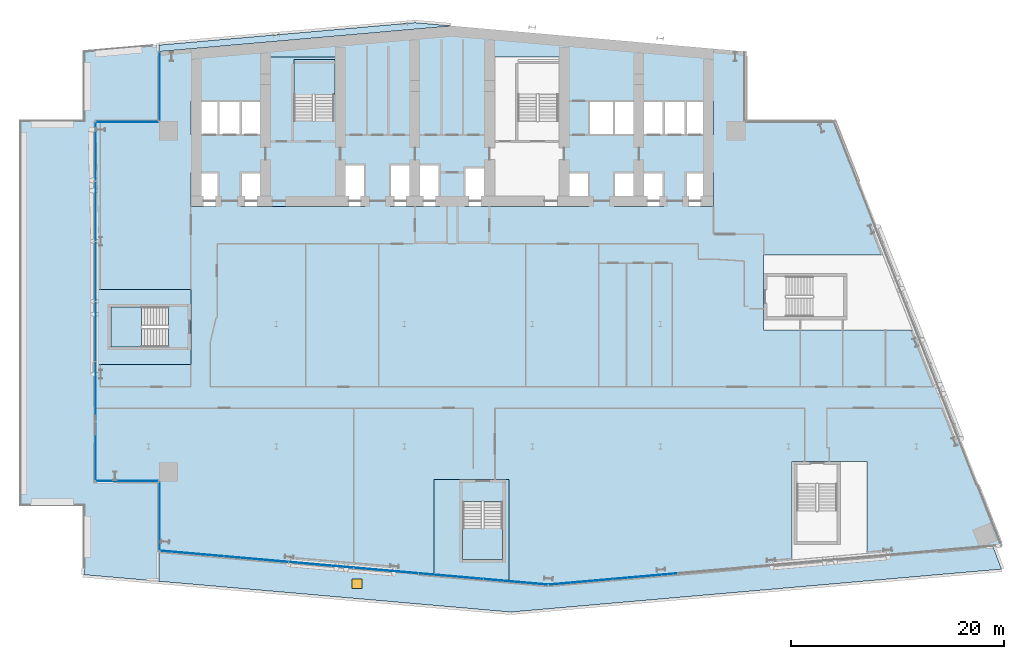
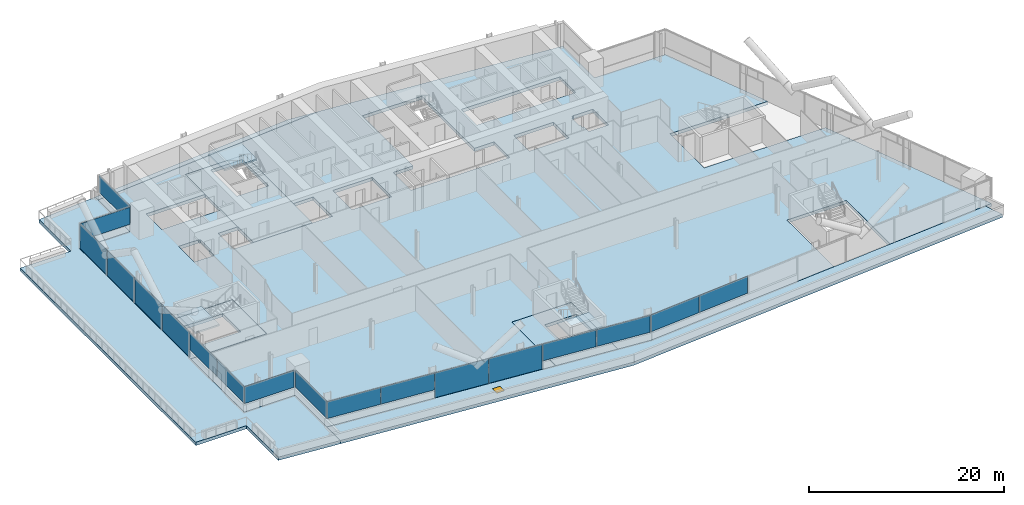
# One storey, part 9 of 26: 18 plates, 10 slabs, 1 door, 1 opening, 10 elements without a shape of their own.
"""IFC4 building model written with IfcOpenShell, lengths in metres."""

import ifcopenshell
import ifcopenshell.guid

model = None  # the IFC model being written
_history = None  # IfcOwnerHistory: only IFC2X3 demands one
_inside = {}  # id of a spatial element -> (the spatial element, [elements in it])
_under = {}  # id of a project, library or spatial element -> (it, [spatial elements below it])
_declared = {}  # id of a project -> (the project, [libraries it declares])
_typed = {}  # id of a type object -> (the type object, [elements of that type])
_made_of = {}  # id of a material, layer set ... -> (it, [elements and type objects made of it])


def new_model(schema):
    """Start an empty IFC model of exactly this schema.

    Asked for "IFC4X3", IfcOpenShell would pick the latest addendum, in which some entities
    have other attributes; the version numbers below select the first issue.
    IFC2X3 requires an IfcOwnerHistory on every rooted entity: one is made here for all.
    """
    global model, _history
    if schema == "IFC4X3":
        model = ifcopenshell.file(schema_version=(4, 3, 0, 0))
    else:
        model = ifcopenshell.file(schema=schema)
    _inside.clear()
    _under.clear()
    _declared.clear()
    _typed.clear()
    _made_of.clear()
    _history = None
    if model.schema == "IFC2X3":
        org = make("IfcOrganization", Name="unknown")
        user = make(
            "IfcPersonAndOrganization",
            ThePerson=make("IfcPerson", FamilyName="unknown"),
            TheOrganization=org,
        )
        app = make(
            "IfcApplication",
            ApplicationDeveloper=org,
            Version="unknown",
            ApplicationFullName="unknown",
            ApplicationIdentifier="unknown",
        )
        _history = make(
            "IfcOwnerHistory",
            OwningUser=user,
            OwningApplication=app,
            ChangeAction="ADDED",
            CreationDate=0,
        )
    return model


def make(cls, **values):
    """One entity of the class cls with the attributes given. An attribute that is None is left unset."""
    return model.create_entity(
        cls, **{name: value for name, value in values.items() if value is not None}
    )


def rooted(cls, **values):
    """An entity with a GlobalId (a new one), such as an element, a storey or a relation."""
    return make(cls, GlobalId=ifcopenshell.guid.new(), OwnerHistory=_history, **values)


def si_unit(unit_type, name, prefix=None):
    """IfcSIUnit, for example si_unit("LENGTHUNIT", "METRE", prefix="MILLI")."""
    return make("IfcSIUnit", UnitType=unit_type, Prefix=prefix, Name=name)


def assignment(units):
    """IfcUnitAssignment: the units of a project."""
    return None if units is None else make("IfcUnitAssignment", Units=units)


def point(xyz):
    """IfcCartesianPoint."""
    return None if xyz is None else make("IfcCartesianPoint", Coordinates=xyz)


def direction(xyz):
    """IfcDirection."""
    return None if xyz is None else make("IfcDirection", DirectionRatios=xyz)


def frame(location, z_axis=None, x_axis=None):
    """IfcAxis2Placement3D, a coordinate frame: its origin and axes. An axis left out is left unset."""
    return make(
        "IfcAxis2Placement3D",
        Location=point(location),
        Axis=direction(z_axis),
        RefDirection=direction(x_axis),
    )


def frame_2d(location, x_axis=None):
    """IfcAxis2Placement2D, a coordinate frame in the plane: its origin and x axis."""
    return make(
        "IfcAxis2Placement2D", Location=point(location), RefDirection=direction(x_axis)
    )


def origin():
    """The frame at (0, 0, 0) with its axes left unset."""
    return frame((0.0, 0.0, 0.0))


def origin_2d():
    """The frame at (0, 0) in the plane with its x axis left unset."""
    return frame_2d((0.0, 0.0))


def place(relative_to, where):
    """IfcLocalPlacement: puts the frame where relative to a parent placement (None: the world)."""
    return make(
        "IfcLocalPlacement", PlacementRelTo=relative_to, RelativePlacement=where
    )


def context(
    kind, dimensions, precision=None, world=None, true_north=None, identifier=None
):
    """IfcGeometricRepresentationContext, for example the 3D "Model" context."""
    return make(
        "IfcGeometricRepresentationContext",
        ContextIdentifier=identifier,
        ContextType=kind,
        CoordinateSpaceDimension=dimensions,
        Precision=precision,
        WorldCoordinateSystem=world,
        TrueNorth=true_north,
    )


def subcontext(parent, identifier, kind, view, scale=None):
    """IfcGeometricRepresentationSubContext, for example "Body" below "Model"."""
    return make(
        "IfcGeometricRepresentationSubContext",
        ContextIdentifier=identifier,
        ContextType=kind,
        ParentContext=parent,
        TargetScale=scale,
        TargetView=view,
    )


def project(units=None, contexts=None):
    """IfcProject with its units and contexts."""
    return rooted(
        "IfcProject",
        Name="project",
        RepresentationContexts=contexts,
        UnitsInContext=assignment(units),
    )


def spatial(cls, under=None, at=None, **own):
    """A site, building, storey or space (cls), placed at a placement, below another one or the project."""
    s = rooted(cls, ObjectPlacement=at, **own)
    if under is not None:
        _under.setdefault(under.id(), (under, []))[1].append(s)
    return s


def polyline(points):
    """IfcPolyline through the points."""
    return make("IfcPolyline", Points=[point(p) for p in points])


def profile(cls, at=None, kind="AREA", **sizes):
    """A parametric profile (cls). Its sizes go by their IFC names, for example OverallWidth=200.0."""
    return make(cls, ProfileType=kind, Position=at, **sizes)


def rectangle(**sizes):
    """IfcRectangleProfileDef."""
    return profile("IfcRectangleProfileDef", **sizes)


def outline(outer, holes=None, kind="AREA"):
    """IfcArbitraryClosedProfileDef: a profile drawn as a closed curve; with holes, ...WithVoids."""
    if holes is None:
        return make("IfcArbitraryClosedProfileDef", ProfileType=kind, OuterCurve=outer)
    return make(
        "IfcArbitraryProfileDefWithVoids",
        ProfileType=kind,
        OuterCurve=outer,
        InnerCurves=holes,
    )


def extrude(swept, where, along, depth):
    """IfcExtrudedAreaSolid: the profile swept, set in the frame where, extruded along a direction by depth."""
    return make(
        "IfcExtrudedAreaSolid",
        SweptArea=swept,
        Position=where,
        ExtrudedDirection=direction(along),
        Depth=depth,
    )


def shape(context_of_items, identifier, shape_type, items):
    """IfcShapeRepresentation: the items that make up one representation, for example the "Body"."""
    return make(
        "IfcShapeRepresentation",
        ContextOfItems=context_of_items,
        RepresentationIdentifier=identifier,
        RepresentationType=shape_type,
        Items=items,
    )


def material(Name=None, Category=None):
    """IfcMaterial."""
    return make("IfcMaterial", Name=Name, Category=Category)


def layer(
    of_material, thickness, ventilated=None, Name=None, Category=None, Priority=None
):
    """IfcMaterialLayer: one layer of a wall or slab, of a material (None: an air gap)."""
    return make(
        "IfcMaterialLayer",
        Material=of_material,
        LayerThickness=thickness,
        IsVentilated=ventilated,
        Name=Name,
        Category=Category,
        Priority=Priority,
    )


def layer_set(layers, Name=None):
    """IfcMaterialLayerSet."""
    return make("IfcMaterialLayerSet", MaterialLayers=layers, LayerSetName=Name)


def made_of(thing, what):
    """Note that an element or type object is made of a material, layer set ...; save() writes the relation."""
    if what is not None:
        _made_of.setdefault(what.id(), (what, []))[1].append(thing)
    return thing


def type_object(cls, material=None, **own):
    """A type object (cls), such as IfcWallType, which elements share."""
    return made_of(rooted(cls, **own), material)


def element(
    cls,
    number,
    at=None,
    inside=None,
    cuts=None,
    type_object=None,
    material=None,
    context=None,
    identifier="Body",
    shape_type=None,
    held_by="IfcProductDefinitionShape",
    body=None,
    shapes=None,
    **own,
):
    """One element of the class cls, such as IfcWall. Its Tag is "e" and its number.

    at: its placement. inside: the storey or other place that contains it. cuts: it is an
    opening in that element (IfcRelVoidsElement). A single representation is given by context,
    identifier, shape_type and body (its items); several are given by shapes. held_by: the class
    of the entity that holds the representations. save() writes the other relations.
    """
    e = rooted(cls, Tag="e%d" % number, ObjectPlacement=at, **own)
    if body is not None:
        shapes = [shape(context, identifier, shape_type, body)]
    if shapes is not None:
        e.Representation = make(held_by, Representations=shapes)
    if inside is not None:
        _inside.setdefault(inside.id(), (inside, []))[1].append(e)
    if cuts is not None:
        rooted(
            "IfcRelVoidsElement", RelatingBuildingElement=cuts, RelatedOpeningElement=e
        )
    if type_object is not None:
        _typed.setdefault(type_object.id(), (type_object, []))[1].append(e)
    return made_of(e, material)


def fill(opening, filler):
    """IfcRelFillsElement: the door or window that sits in an opening."""
    return rooted(
        "IfcRelFillsElement",
        RelatingOpeningElement=opening,
        RelatedBuildingElement=filler,
    )


def aggregate(whole, parts):
    """IfcRelAggregates: a whole, such as a stair, and the parts it consists of."""
    return rooted("IfcRelAggregates", RelatingObject=whole, RelatedObjects=parts)


def save(model, path):
    """Write the relations noted so far, then the file.

    IfcRelAggregates (storeys below a building ...), IfcRelContainedInSpatialStructure (elements
    in a storey), IfcRelDefinesByType, IfcRelAssociatesMaterial and IfcRelDeclares: one each for
    every whole, place, type object, material and project.
    """
    for whole, parts in _under.values():
        aggregate(whole, parts)
    for where, things in _inside.values():
        rooted(
            "IfcRelContainedInSpatialStructure",
            RelatedElements=things,
            RelatingStructure=where,
        )
    for kind, things in _typed.values():
        rooted("IfcRelDefinesByType", RelatedObjects=things, RelatingType=kind)
    for what, things in _made_of.values():
        rooted("IfcRelAssociatesMaterial", RelatedObjects=things, RelatingMaterial=what)
    for by, libraries in _declared.values():
        rooted("IfcRelDeclares", RelatingContext=by, RelatedDefinitions=libraries)
    model.write(path)


model = new_model("IFC4")

# Units and contexts
model_context = context("Model", 3, precision=1e-05, world=origin(), true_north=direction((0.0, 1.0)))
body_context = subcontext(model_context, "Body", "Model", "MODEL_VIEW")
ifc_project = project(units=[si_unit("LENGTHUNIT", "METRE"), si_unit("AREAUNIT", "SQUARE_METRE"), si_unit("VOLUMEUNIT", "CUBIC_METRE"), si_unit("PLANEANGLEUNIT", "RADIAN"), si_unit("MASSUNIT", "GRAM", prefix="KILO")], contexts=[model_context])

# Site, building, storey
site_placement = place(None, origin())
site = spatial("IfcSite", under=ifc_project, at=site_placement, CompositionType="ELEMENT")
building_placement = place(site_placement, origin())
building = spatial("IfcBuilding", under=site, at=building_placement, Name="Wharfspan Tower", CompositionType="ELEMENT")
storey_placement = place(building_placement, frame((0.0, 0.0, 96.699951)))
storey = spatial("IfcBuildingStorey", under=building, at=storey_placement, Name="L21", CompositionType="ELEMENT", Elevation=96.699951)

# Curtain wall, plates
ifc_material_1 = material(Name="Aluminium 6063-T6", Category="aluminium")
curtain_wall_type_1 = type_object("IfcCurtainWallType", Name="CURTAIN WALL FACETED FRONT", PredefinedType="NOTDEFINED", material=ifc_material_1)
curtain_wall_1_placement = place(storey_placement, origin())
curtain_wall_1 = element("IfcCurtainWall", 1, at=curtain_wall_1_placement, inside=storey, type_object=curtain_wall_type_1, Name="Curtain wall S1", PredefinedType="NOTDEFINED")
ifc_material_2 = material(Name="Glass clear low-iron double glazing", Category="glass")
ifc_layer_1 = layer(ifc_material_2, 0.040039)
ifc_layer_set_1 = layer_set([ifc_layer_1], Name="Glass clear low-iron double glazing")
plate_type_1 = type_object("IfcPlateType", Name="GLASS PANEL FACETED FRONT 40", PredefinedType="CURTAIN_PANEL", material=ifc_layer_set_1)
plate_1_placement = place(storey_placement, frame((16.061768, 1.467529, 1.0), z_axis=(0.0, 0.0, 1.0), x_axis=(0.996198, -0.087156, 0.0)))
plate_1 = element("IfcPlate", 2, at=plate_1_placement, type_object=plate_type_1, Name="Curtain wall S1 panel 1", PredefinedType="CURTAIN_PANEL", context=body_context, shape_type="SweptSolid", body=[
    extrude(rectangle(XDim=6.016602, YDim=0.040039, at=origin_2d()), origin(), (0.0, 0.0, 1.0), 2.120117),
])
plate_2_placement = place(storey_placement, frame((22.130127, 0.936523, 1.0), z_axis=(0.0, 0.0, 1.0), x_axis=(0.996198, -0.087156, 0.0)))
plate_2 = element("IfcPlate", 3, at=plate_2_placement, type_object=plate_type_1, Name="Curtain wall S1 panel 2", PredefinedType="CURTAIN_PANEL", context=body_context, shape_type="SweptSolid", body=[
    extrude(rectangle(XDim=6.046631, YDim=0.040039, at=origin_2d()), origin(), (0.0, 0.0, 1.0), 2.120117),
])
plate_3_placement = place(storey_placement, frame((40.380127, -0.660156, 1.0), z_axis=(0.0, 0.0, 1.0), x_axis=(0.996198, -0.087156, 0.0)))
plate_3 = element("IfcPlate", 4, at=plate_3_placement, type_object=plate_type_1, Name="Curtain wall S1 panel 5", PredefinedType="CURTAIN_PANEL", context=body_context, shape_type="SweptSolid", body=[
    extrude(rectangle(XDim=6.046631, YDim=0.040039, at=origin_2d()), origin(), (0.0, 0.0, 1.0), 2.120117),
])
plate_4_placement = place(storey_placement, frame((46.44873, -1.191162, 1.0), z_axis=(0.0, 0.0, 1.0), x_axis=(0.996198, -0.087156, 0.0)))
plate_4 = element("IfcPlate", 5, at=plate_4_placement, type_object=plate_type_1, Name="Curtain wall S1 panel 6", PredefinedType="CURTAIN_PANEL", context=body_context, shape_type="SweptSolid", body=[
    extrude(rectangle(XDim=6.016602, YDim=0.040039, at=origin_2d()), origin(), (0.0, 0.0, 1.0), 2.120117),
])

curtain_wall_2_placement = place(storey_placement, origin())
curtain_wall_2 = element("IfcCurtainWall", 6, at=curtain_wall_2_placement, inside=storey, type_object=curtain_wall_type_1, Name="Curtain wall S2", PredefinedType="NOTDEFINED")
plate_5_placement = place(storey_placement, frame((52.54541, -1.19165, 1.0), z_axis=(0.0, 0.0, 1.0), x_axis=(0.996198, 0.087156, 0.0)))
plate_5 = element("IfcPlate", 7, at=plate_5_placement, type_object=plate_type_1, Name="Curtain wall S2 panel 1", PredefinedType="CURTAIN_PANEL", context=body_context, shape_type="SweptSolid", body=[
    extrude(rectangle(XDim=6.004639, YDim=0.040039, at=origin_2d()), origin(), (0.0, 0.0, 1.0), 2.120117),
])
plate_6_placement = place(storey_placement, frame((58.601807, -0.661621, 1.0), z_axis=(0.0, 0.0, 1.0), x_axis=(0.996198, 0.087156, 0.0)))
plate_6 = element("IfcPlate", 8, at=plate_6_placement, type_object=plate_type_1, Name="Curtain wall S2 panel 2", PredefinedType="CURTAIN_PANEL", context=body_context, shape_type="SweptSolid", body=[
    extrude(rectangle(XDim=6.034668, YDim=0.040039, at=origin_2d()), origin(), (0.0, 0.0, 1.0), 2.120117),
])
aggregate(curtain_wall_2, [plate_5, plate_6])

# Curtain wall, plate
curtain_wall_type_2 = type_object("IfcCurtainWallType", Name="CURTAIN WALL PROW AND END", PredefinedType="NOTDEFINED", material=ifc_material_1)
curtain_wall_3_placement = place(storey_placement, origin())
curtain_wall_3 = element("IfcCurtainWall", 9, at=curtain_wall_3_placement, inside=storey, type_object=curtain_wall_type_2, Name="Curtain wall NRW-V", PredefinedType="NOTDEFINED")
ifc_layer_2 = layer(ifc_material_2, 0.040039)
ifc_layer_set_2 = layer_set([ifc_layer_2], Name="Glass clear low-iron double glazing")
plate_type_2 = type_object("IfcPlateType", Name="GLASS PANEL PROW AND END 40", PredefinedType="CURTAIN_PANEL", material=ifc_layer_set_2)
plate_7_placement = place(storey_placement, frame((13.080078, 45.262451, 1.0), z_axis=(0.0, 0.0, 1.0), x_axis=(0.0, -1.0, 0.0)))
plate_7 = element("IfcPlate", 10, at=plate_7_placement, type_object=plate_type_2, Name="Curtain wall NRW-V panel 1", PredefinedType="CURTAIN_PANEL", context=body_context, shape_type="SweptSolid", body=[
    extrude(rectangle(XDim=6.405029, YDim=0.040039, at=origin_2d()), origin(), (0.0, 0.0, 1.0), 2.120117),
])
aggregate(curtain_wall_3, [plate_7])

curtain_wall_4_placement = place(storey_placement, origin())
curtain_wall_4 = element("IfcCurtainWall", 11, at=curtain_wall_4_placement, inside=storey, type_object=curtain_wall_type_2, Name="Curtain wall NRW-H", PredefinedType="NOTDEFINED")
plate_8_placement = place(storey_placement, frame((10.0, 41.919922, 1.0), z_axis=(0.0, 0.0, 1.0), x_axis=(-1.0, 0.0, 0.0)))
plate_8 = element("IfcPlate", 12, at=plate_8_placement, type_object=plate_type_2, Name="Curtain wall NRW-H panel 1", PredefinedType="CURTAIN_PANEL", context=body_context, shape_type="SweptSolid", body=[
    extrude(rectangle(XDim=5.879883, YDim=0.040039, at=origin_2d()), origin(), (0.0, 0.0, 1.0), 2.120117),
])
aggregate(curtain_wall_4, [plate_8])

# Curtain wall, plates
curtain_wall_5_placement = place(storey_placement, origin())
curtain_wall_5 = element("IfcCurtainWall", 13, at=curtain_wall_5_placement, inside=storey, type_object=curtain_wall_type_2, Name="Curtain wall W", PredefinedType="NOTDEFINED")
plate_9_placement = place(storey_placement, frame((7.080078, 16.649902, 1.0), z_axis=(0.0, 0.0, 1.0), x_axis=(0.0, -1.0, 0.0)))
plate_9 = element("IfcPlate", 14, at=plate_9_placement, type_object=plate_type_2, Name="Curtain wall W panel 5", PredefinedType="CURTAIN_PANEL", context=body_context, shape_type="SweptSolid", body=[
    extrude(rectangle(XDim=5.573242, YDim=0.040039, at=origin_2d()), origin(), (0.0, 0.0, 1.0), 2.120117),
])
plate_10_placement = place(storey_placement, frame((7.080078, 11.031738, 1.0), z_axis=(0.0, 0.0, 1.0), x_axis=(0.0, -1.0, 0.0)))
plate_10 = element("IfcPlate", 15, at=plate_10_placement, type_object=plate_type_2, Name="Curtain wall W panel 6", PredefinedType="CURTAIN_PANEL", context=body_context, shape_type="SweptSolid", body=[
    extrude(rectangle(XDim=5.543213, YDim=0.040039, at=origin_2d()), origin(), (0.0, 0.0, 1.0), 2.120117),
])

# Curtain wall, plate
curtain_wall_6_placement = place(storey_placement, origin())
curtain_wall_6 = element("IfcCurtainWall", 16, at=curtain_wall_6_placement, inside=storey, type_object=curtain_wall_type_2, Name="Curtain wall NFW-H", PredefinedType="NOTDEFINED")
plate_11_placement = place(storey_placement, frame((10.0, 8.280029, 1.0), z_axis=(0.0, 0.0, 1.0), x_axis=(1.0, 0.0, 0.0)))
plate_11 = element("IfcPlate", 17, at=plate_11_placement, type_object=plate_type_2, Name="Curtain wall NFW-H panel 1", PredefinedType="CURTAIN_PANEL", context=body_context, shape_type="SweptSolid", body=[
    extrude(rectangle(XDim=5.879883, YDim=0.040039, at=origin_2d()), origin(), (0.0, 0.0, 1.0), 2.120117),
])
aggregate(curtain_wall_6, [plate_11])

curtain_wall_7_placement = place(storey_placement, origin())
curtain_wall_7 = element("IfcCurtainWall", 18, at=curtain_wall_7_placement, inside=storey, type_object=curtain_wall_type_2, Name="Curtain wall NFW-V", PredefinedType="NOTDEFINED")
plate_12_placement = place(storey_placement, frame((13.080078, 4.9375, 1.0), z_axis=(0.0, 0.0, 1.0), x_axis=(0.0, -1.0, 0.0)))
plate_12 = element("IfcPlate", 19, at=plate_12_placement, type_object=plate_type_2, Name="Curtain wall NFW-V panel 1", PredefinedType="CURTAIN_PANEL", context=body_context, shape_type="SweptSolid", body=[
    extrude(rectangle(XDim=6.405029, YDim=0.040039, at=origin_2d()), origin(), (0.0, 0.0, 1.0), 2.120117),
])
aggregate(curtain_wall_7, [plate_12])

# Plate
ifc_material_3 = material(Name="Aluminium composite opaque insulated panel", Category="aluminium")
ifc_layer_3 = layer(ifc_material_3, 0.040039)
ifc_layer_set_3 = layer_set([ifc_layer_3], Name="Aluminium composite opaque insulated panel")
plate_type_3 = type_object("IfcPlateType", Name="INFILL PANEL FACETED FRONT OPAQUE 40", PredefinedType="SHEET", material=ifc_layer_set_3)
plate_13_placement = place(storey_placement, frame((28.213623, 0.404297, 0.0), z_axis=(0.0, 0.0, 1.0), x_axis=(0.996198, -0.087156, 0.0)))
plate_13 = element("IfcPlate", 20, at=plate_13_placement, type_object=plate_type_3, Name="Curtain wall S1 panel 3", PredefinedType="SHEET", context=body_context, shape_type="SweptSolid", body=[
    extrude(rectangle(XDim=6.046631, YDim=0.040039, at=origin_2d()), origin(), (0.0, 0.0, 1.0), 3.120117),
])

plate_14_placement = place(storey_placement, frame((34.296875, -0.12793, 0.0), z_axis=(0.0, 0.0, 1.0), x_axis=(0.996198, -0.087156, 0.0)))
plate_14 = element("IfcPlate", 21, at=plate_14_placement, type_object=plate_type_3, Name="Curtain wall S1 panel 4", PredefinedType="SHEET", context=body_context, shape_type="SweptSolid", body=[
    extrude(rectangle(XDim=6.046631, YDim=0.040039, at=origin_2d()), origin(), (0.0, 0.0, 1.0), 3.120117),
])

aggregate(curtain_wall_1, [plate_1, plate_2, plate_13, plate_14, plate_3, plate_4])

ifc_layer_4 = layer(ifc_material_3, 0.040039)
ifc_layer_set_4 = layer_set([ifc_layer_4], Name="Aluminium composite opaque insulated panel")
plate_type_4 = type_object("IfcPlateType", Name="INFILL PANEL PROW AND END OPAQUE 40", PredefinedType="SHEET", material=ifc_layer_set_4)
plate_15_placement = place(storey_placement, frame((7.080078, 39.168213, 0.0), z_axis=(0.0, 0.0, 1.0), x_axis=(0.0, -1.0, 0.0)))
plate_15 = element("IfcPlate", 22, at=plate_15_placement, type_object=plate_type_4, Name="Curtain wall W panel 1", PredefinedType="SHEET", context=body_context, shape_type="SweptSolid", body=[
    extrude(rectangle(XDim=5.543213, YDim=0.040039, at=origin_2d()), origin(), (0.0, 0.0, 1.0), 3.120117),
])

plate_16_placement = place(storey_placement, frame((7.080078, 33.550049, 0.0), z_axis=(0.0, 0.0, 1.0), x_axis=(0.0, -1.0, 0.0)))
plate_16 = element("IfcPlate", 23, at=plate_16_placement, type_object=plate_type_4, Name="Curtain wall W panel 2", PredefinedType="SHEET", context=body_context, shape_type="SweptSolid", body=[
    extrude(rectangle(XDim=5.573242, YDim=0.040039, at=origin_2d()), origin(), (0.0, 0.0, 1.0), 3.120117),
])

plate_17_placement = place(storey_placement, frame((7.080078, 27.916748, 0.0), z_axis=(0.0, 0.0, 1.0), x_axis=(0.0, -1.0, 0.0)))
plate_17 = element("IfcPlate", 24, at=plate_17_placement, type_object=plate_type_4, Name="Curtain wall W panel 3", PredefinedType="SHEET", context=body_context, shape_type="SweptSolid", body=[
    extrude(rectangle(XDim=5.573242, YDim=0.040039, at=origin_2d()), origin(), (0.0, 0.0, 1.0), 3.120117),
])

plate_18_placement = place(storey_placement, frame((7.080078, 22.283447, 0.0), z_axis=(0.0, 0.0, 1.0), x_axis=(0.0, -1.0, 0.0)))
plate_18 = element("IfcPlate", 25, at=plate_18_placement, type_object=plate_type_4, Name="Curtain wall W panel 4", PredefinedType="SHEET", context=body_context, shape_type="SweptSolid", body=[
    extrude(rectangle(XDim=5.573242, YDim=0.040039, at=origin_2d()), origin(), (0.0, 0.0, 1.0), 3.120117),
])

aggregate(curtain_wall_5, [plate_15, plate_16, plate_17, plate_18, plate_9, plate_10])

# Slabs
ifc_material_4 = material(Name="Concrete C40/50", Category="concrete")
ifc_layer_5 = layer(ifc_material_4, 0.399902)
ifc_layer_set_5 = layer_set([ifc_layer_5], Name="Concrete C40/50")
slab_type_1 = type_object("IfcSlabType", Name="Post-tensioned flat slab 400", PredefinedType="FLOOR", material=ifc_layer_set_5)
slab_1_placement = place(storey_placement, frame((0.0, 0.0, -0.400146)))
element("IfcSlab", 26, at=slab_1_placement, inside=storey, type_object=slab_type_1, Name="Floor slab L21", PredefinedType="FLOOR", context=body_context, shape_type="SweptSolid", body=[
    extrude(outline(polyline([(38.800293, -0.582275), (38.800293, 8.427002), (45.820312, 8.427002), (45.820312, -1.196289), (49.5, -1.518311), (72.355957, 0.481445), (72.355957, 10.104736), (79.375977, 10.104736), (79.375977, 1.095459), (92.0, 2.199951), (84.04541, 22.439941), (69.68042, 22.439941), (69.68042, 29.459961), (81.286621, 29.459961), (76.358154, 42.0), (68.0, 42.0), (68.0, 48.524902), (40.5, 50.930908), (13.0, 48.524902), (13.0, 42.0), (7.0, 42.0), (7.0, 26.209961), (16.01001, 26.209961), (16.01001, 19.189941), (7.0, 19.189941), (7.0, 8.199951), (13.0, 8.199951), (13.0, 1.675049), (38.800293, -0.582275)]), holes=[polyline([(62.48999, 35.389893), (62.36499, 35.389893), (62.36499, 36.909912), (62.48999, 36.909912), (62.48999, 37.110107), (62.656738, 37.110107), (62.656738, 37.209961), (65.01001, 37.209961), (65.01001, 33.98999), (62.656738, 33.98999), (62.656738, 34.98999), (62.48999, 34.98999), (62.48999, 35.389893)]), polyline([(65.01001, 43.909912), (65.01001, 40.689941), (53.323242, 40.689941), (53.323242, 43.909912), (65.01001, 43.909912)]), polyline([(55.656738, 33.98999), (55.656738, 37.209961), (60.343262, 37.209961), (60.343262, 33.98999), (55.656738, 33.98999)]), polyline([(43.98999, 37.659912), (43.98999, 48.01001), (51.01001, 48.01001), (51.01001, 37.209961), (53.343262, 37.209961), (53.343262, 33.98999), (41.656738, 33.98999), (41.656738, 37.659912), (43.98999, 37.659912)]), polyline([(34.656738, 33.98999), (34.656738, 37.959961), (39.343262, 37.959961), (39.343262, 33.98999), (34.656738, 33.98999)]), polyline([(20.656738, 37.209961), (22.98999, 37.209961), (22.98999, 40.689941), (20.676758, 40.689941), (20.656738, 40.689941), (15.98999, 40.689941), (15.98999, 43.909912), (20.656738, 43.909912), (20.676758, 43.909912), (22.98999, 43.909912), (22.98999, 48.01001), (30.01001, 48.01001), (30.01001, 37.959961), (32.343262, 37.959961), (32.343262, 33.98999), (20.656738, 33.98999), (20.656738, 37.209961)]), polyline([(18.51001, 34.98999), (18.343262, 34.98999), (18.343262, 33.98999), (15.98999, 33.98999), (15.98999, 37.209961), (18.343262, 37.209961), (18.343262, 37.110107), (18.51001, 37.110107), (18.51001, 34.98999)])]), origin(), (0.0, 0.0, 1.0), 0.400146),
])
slab_2_placement = place(storey_placement, frame((0.0, 0.0, -0.400146)))
element("IfcSlab", 27, at=slab_2_placement, inside=storey, type_object=slab_type_1, Name="Core floor slab L21 part 1", PredefinedType="FLOOR", context=body_context, shape_type="SweptSolid", body=[
    extrude(outline(polyline([(16.0, 20.524902), (16.0, 24.875), (16.0, 26.199951), (7.0, 26.199951), (7.0, 19.199951), (16.0, 19.199951), (16.0, 20.524902)]), holes=[polyline([(13.9021, 20.824951), (13.9021, 20.824707), (13.9021, 20.824707), (13.901855, 20.824463), (13.901855, 20.824219), (13.901855, 20.824219), (13.901611, 20.823975), (13.901611, 20.82373), (13.901367, 20.823486), (13.901367, 20.823486), (13.901123, 20.823242), (13.900879, 20.823242), (13.900879, 20.823242), (13.900635, 20.822998), (13.900391, 20.822998), (13.900146, 20.822998), (13.899902, 20.822998), (8.5, 20.822998), (8.499756, 20.822998), (8.499512, 20.822998), (8.499512, 20.822998), (8.499268, 20.823242), (8.499023, 20.823242), (8.498779, 20.823242), (8.498779, 20.823486), (8.498535, 20.823486), (8.498535, 20.82373), (8.498291, 20.823975), (8.498291, 20.824219), (8.498291, 20.824219), (8.498047, 20.824463), (8.498047, 20.824707), (8.498047, 20.824707), (8.498047, 20.824951), (8.498047, 24.574951), (8.498047, 24.575195), (8.498047, 24.575439), (8.498047, 24.575684), (8.498291, 24.575684), (8.498291, 24.575928), (8.498291, 24.576172), (8.498535, 24.576416), (8.498535, 24.576416), (8.498779, 24.576416), (8.498779, 24.57666), (8.499023, 24.576904), (8.499268, 24.576904), (8.499512, 24.576904), (8.499512, 24.576904), (8.499756, 24.576904), (8.5, 24.576904), (13.899902, 24.576904), (13.900146, 24.576904), (13.900391, 24.576904), (13.900635, 24.576904), (13.900879, 24.576904), (13.900879, 24.576904), (13.901123, 24.57666), (13.901367, 24.576416), (13.901367, 24.576416), (13.901611, 24.576416), (13.901611, 24.576172), (13.901855, 24.575928), (13.901855, 24.575684), (13.901855, 24.575684), (13.9021, 24.575439), (13.9021, 24.575195), (13.9021, 24.574951), (13.9021, 20.824951)])]), origin(), (0.0, 0.0, 1.0), 0.400146),
])
slab_3_placement = place(storey_placement, frame((0.0, 0.0, -0.400146)))
element("IfcSlab", 28, at=slab_3_placement, inside=storey, type_object=slab_type_1, Name="Core floor slab L21 part 2", PredefinedType="FLOOR", context=body_context, shape_type="SweptSolid", body=[
    extrude(outline(polyline([(20.664795, 34.0), (20.664795, 37.199951), (20.664795, 37.200195), (20.664795, 37.200439), (20.664795, 37.200684), (20.664795, 37.200684), (20.664795, 37.200928), (20.665039, 37.201172), (20.665039, 37.201416), (20.665283, 37.201416), (20.665283, 37.201416), (20.665527, 37.20166), (20.665771, 37.201904), (20.666016, 37.201904), (20.666016, 37.201904), (20.66626, 37.201904), (20.666504, 37.201904), (20.666748, 37.201904), (23.0, 37.201904), (23.000244, 37.201904), (23.000488, 37.201904), (23.000488, 37.201904), (23.000732, 37.201904), (23.000977, 37.201904), (23.001221, 37.20166), (23.001221, 37.201416), (23.001465, 37.201416), (23.001465, 37.201416), (23.001709, 37.201172), (23.001709, 37.200928), (23.001709, 37.200684), (23.001953, 37.200684), (23.001953, 37.200439), (23.001953, 37.200195), (23.001953, 37.199951), (23.001953, 34.0), (29.998047, 34.0), (29.998047, 37.949951), (29.998047, 37.950195), (29.998047, 37.950439), (29.998047, 37.950684), (29.998291, 37.950684), (29.998291, 37.950928), (29.998291, 37.951172), (29.998535, 37.951416), (29.998535, 37.951416), (29.998779, 37.951416), (29.998779, 37.95166), (29.999023, 37.951904), (29.999268, 37.951904), (29.999512, 37.951904), (29.999512, 37.951904), (29.999756, 37.951904), (30.0, 37.951904), (32.333252, 37.951904), (32.333496, 37.951904), (32.33374, 37.951904), (32.333984, 37.951904), (32.333984, 37.951904), (32.334229, 37.951904), (32.334473, 37.95166), (32.334717, 37.951416), (32.334717, 37.951416), (32.334961, 37.951416), (32.334961, 37.951172), (32.335205, 37.950928), (32.335205, 37.950684), (32.335205, 37.950684), (32.335205, 37.950439), (32.335205, 37.950195), (32.335205, 37.949951), (32.335205, 34.0), (32.341309, 34.0), (32.341309, 37.958008), (30.01001, 37.958008), (30.009766, 37.958008), (30.009521, 37.958008), (30.009521, 37.958008), (30.009277, 37.958252), (30.009033, 37.958252), (30.008789, 37.958252), (30.008789, 37.958496), (30.008545, 37.958496), (30.008545, 37.95874), (30.008301, 37.958984), (30.008301, 37.958984), (30.008301, 37.959229), (30.008057, 37.959473), (30.008057, 37.959717), (30.008057, 37.959717), (30.008057, 37.959961), (30.008057, 48.008057), (22.991943, 48.008057), (22.991943, 43.909912), (22.991943, 43.909912), (22.991943, 43.909668), (22.991943, 43.909424), (22.991699, 43.90918), (22.991699, 43.90918), (22.991699, 43.908936), (22.991455, 43.908691), (22.991455, 43.908691), (22.991211, 43.908447), (22.991211, 43.908203), (22.990967, 43.908203), (22.990723, 43.908203), (22.990479, 43.908203), (22.990479, 43.907959), (22.990234, 43.907959), (22.98999, 43.907959), (16.0, 43.907959), (16.0, 43.9021), (20.666748, 43.9021), (20.666748, 43.9021), (23.0, 43.9021), (23.000244, 43.9021), (23.000488, 43.9021), (23.000488, 43.901855), (23.000732, 43.901855), (23.000977, 43.901855), (23.001221, 43.901611), (23.001221, 43.901611), (23.001465, 43.901367), (23.001465, 43.901367), (23.001709, 43.901123), (23.001709, 43.900879), (23.001709, 43.900879), (23.001953, 43.900635), (23.001953, 43.900391), (23.001953, 43.900146), (23.001953, 43.899902), (23.001953, 40.699951), (23.001953, 40.699707), (23.001953, 40.699707), (23.001953, 40.699463), (23.001709, 40.699219), (23.001709, 40.699219), (23.001709, 40.698975), (23.001465, 40.69873), (23.001465, 40.698486), (23.001221, 40.698486), (23.001221, 40.698242), (23.000977, 40.698242), (23.000732, 40.698242), (23.000488, 40.697998), (23.000488, 40.697998), (23.000244, 40.697998), (23.0, 40.697998), (20.666748, 40.697998), (20.666748, 40.697998), (16.0, 40.697998), (16.0, 40.691895), (22.98999, 40.691895), (22.990234, 40.691895), (22.990479, 40.691895), (22.990479, 40.691895), (22.990723, 40.691895), (22.990967, 40.691895), (22.991211, 40.69165), (22.991211, 40.691406), (22.991455, 40.691406), (22.991455, 40.691406), (22.991699, 40.691162), (22.991699, 40.690918), (22.991699, 40.690918), (22.991943, 40.690674), (22.991943, 40.69043), (22.991943, 40.690186), (22.991943, 40.689941), (22.991943, 37.209961), (22.991943, 37.209717), (22.991943, 37.209717), (22.991943, 37.209473), (22.991699, 37.209229), (22.991699, 37.208984), (22.991699, 37.208984), (22.991455, 37.20874), (22.991455, 37.208496), (22.991211, 37.208496), (22.991211, 37.208252), (22.990967, 37.208252), (22.990723, 37.208252), (22.990479, 37.208008), (22.990479, 37.208008), (22.990234, 37.208008), (22.98999, 37.208008), (20.658691, 37.208008), (20.658691, 34.0), (20.664795, 34.0)]), holes=[polyline([(25.649902, 41.998047), (25.649902, 41.998047), (25.649658, 41.998047), (25.649414, 41.998047), (25.64917, 41.998291), (25.64917, 41.998291), (25.648926, 41.998291), (25.648682, 41.998535), (25.648682, 41.998535), (25.648438, 41.998779), (25.648193, 41.998779), (25.648193, 41.999023), (25.648193, 41.999268), (25.648193, 41.999512), (25.647949, 41.999512), (25.647949, 41.999756), (25.647949, 42.0), (25.647949, 47.399902), (25.647949, 47.400146), (25.647949, 47.400391), (25.648193, 47.400635), (25.648193, 47.400879), (25.648193, 47.400879), (25.648193, 47.401123), (25.648438, 47.401367), (25.648682, 47.401367), (25.648682, 47.401611), (25.648926, 47.401611), (25.64917, 47.401855), (25.64917, 47.401855), (25.649414, 47.401855), (25.649658, 47.4021), (25.649902, 47.4021), (25.649902, 47.4021), (29.399902, 47.4021), (29.400146, 47.4021), (29.400391, 47.4021), (29.400635, 47.401855), (29.400879, 47.401855), (29.400879, 47.401855), (29.401123, 47.401611), (29.401367, 47.401611), (29.401367, 47.401367), (29.401611, 47.401367), (29.401611, 47.401123), (29.401855, 47.400879), (29.401855, 47.400879), (29.401855, 47.400635), (29.4021, 47.400391), (29.4021, 47.400146), (29.4021, 47.399902), (29.4021, 42.0), (29.4021, 41.999756), (29.4021, 41.999512), (29.401855, 41.999512), (29.401855, 41.999268), (29.401855, 41.999023), (29.401611, 41.998779), (29.401611, 41.998779), (29.401367, 41.998535), (29.401367, 41.998535), (29.401123, 41.998291), (29.400879, 41.998291), (29.400879, 41.998291), (29.400635, 41.998047), (29.400391, 41.998047), (29.400146, 41.998047), (29.399902, 41.998047), (25.649902, 41.998047)])]), origin(), (0.0, 0.0, 1.0), 0.400146),
])
slab_4_placement = place(storey_placement, frame((0.0, 0.0, -0.400146)))
element("IfcSlab", 29, at=slab_4_placement, inside=storey, type_object=slab_type_1, Name="Core floor slab L21 part 3", PredefinedType="FLOOR", context=body_context, shape_type="SweptSolid", body=[
    extrude(outline(polyline([(45.5354, 8.416992), (41.185303, 8.416992), (38.810303, 8.416992), (38.810303, -0.583008), (45.810303, -1.195557), (45.810303, 8.416992), (45.5354, 8.416992)]), holes=[polyline([(41.483398, 6.316895), (41.483398, 6.317139), (41.483398, 6.317383), (41.483398, 6.317383), (41.483398, 6.317627), (41.483398, 6.317871), (41.483643, 6.318115), (41.483643, 6.318115), (41.483887, 6.318359), (41.483887, 6.318604), (41.484131, 6.318604), (41.484375, 6.318604), (41.484619, 6.318848), (41.484619, 6.318848), (41.484863, 6.318848), (41.485107, 6.319092), (41.485352, 6.319092), (45.235352, 6.319092), (45.235596, 6.319092), (45.235596, 6.318848), (45.23584, 6.318848), (45.236084, 6.318848), (45.236084, 6.318604), (45.236328, 6.318604), (45.236572, 6.318604), (45.236816, 6.318359), (45.236816, 6.318115), (45.236816, 6.318115), (45.237061, 6.317871), (45.237061, 6.317627), (45.237305, 6.317383), (45.237305, 6.317383), (45.237305, 6.317139), (45.237305, 6.316895), (45.237305, 0.916992), (45.237305, 0.916748), (45.237305, 0.916504), (45.237305, 0.916504), (45.237061, 0.91626), (45.237061, 0.916016), (45.236816, 0.916016), (45.236816, 0.915771), (45.236816, 0.915527), (45.236572, 0.915283), (45.236328, 0.915283), (45.236084, 0.915283), (45.236084, 0.915039), (45.23584, 0.915039), (45.235596, 0.915039), (45.235596, 0.915039), (45.235352, 0.915039), (41.485352, 0.915039), (41.485107, 0.915039), (41.484863, 0.915039), (41.484619, 0.915039), (41.484619, 0.915039), (41.484375, 0.915283), (41.484131, 0.915283), (41.483887, 0.915283), (41.483887, 0.915527), (41.483643, 0.915771), (41.483643, 0.916016), (41.483398, 0.916016), (41.483398, 0.91626), (41.483398, 0.916504), (41.483398, 0.916504), (41.483398, 0.916748), (41.483398, 0.916992), (41.483398, 6.316895)])]), origin(), (0.0, 0.0, 1.0), 0.400146),
])

# Stair, slab
stair_type = type_object("IfcStairType", Name="Half-turn stair 20 risers 180 mm", PredefinedType="HALF_TURN_STAIR", material=ifc_material_4)
stair_1_placement = place(storey_placement, origin())
stair_1 = element("IfcStair", 30, at=stair_1_placement, inside=storey, type_object=stair_type, Name="L21 stair ST1", PredefinedType="HALF_TURN_STAIR")
ifc_layer_6 = layer(ifc_material_4, 0.199951)
ifc_layer_set_6 = layer_set([ifc_layer_6], Name="Concrete C40/50")
slab_type_2 = type_object("IfcSlabType", Name="Stair landing 200", PredefinedType="LANDING", material=ifc_layer_set_6)
slab_5_placement = place(storey_placement, frame((0.0, 0.0, 1.599854)))
slab_5 = element("IfcSlab", 31, at=slab_5_placement, type_object=slab_type_2, Name="ST1 landing 1", PredefinedType="LANDING", context=body_context, shape_type="SweptSolid", body=[
    extrude(outline(polyline([(25.649902, 44.52002), (29.5, 44.52002), (29.5, 47.783691), (25.649902, 47.783691), (25.649902, 44.52002)])), origin(), (0.0, 0.0, 1.0), 0.200195),
])
aggregate(stair_1, [slab_5])

stair_2_placement = place(storey_placement, origin())
stair_2 = element("IfcStair", 32, at=stair_2_placement, inside=storey, type_object=stair_type, Name="L21 stair ST3", PredefinedType="HALF_TURN_STAIR")
slab_6_placement = place(storey_placement, frame((0.0, 0.0, 1.599854)))
slab_6 = element("IfcSlab", 33, at=slab_6_placement, type_object=slab_type_2, Name="ST3 landing 1", PredefinedType="LANDING", context=body_context, shape_type="SweptSolid", body=[
    extrude(outline(polyline([(11.379883, 24.574951), (8.5, 24.574951), (8.5, 20.824951), (11.379883, 20.824951), (11.379883, 24.574951)])), origin(), (0.0, 0.0, 1.0), 0.200195),
])
aggregate(stair_2, [slab_6])

stair_3_placement = place(storey_placement, origin())
stair_3 = element("IfcStair", 34, at=stair_3_placement, inside=storey, type_object=stair_type, Name="L21 stair ST4", PredefinedType="HALF_TURN_STAIR")
slab_7_placement = place(storey_placement, frame((0.0, 0.0, 1.599854)))
slab_7 = element("IfcSlab", 35, at=slab_7_placement, type_object=slab_type_2, Name="ST4 landing 1", PredefinedType="LANDING", context=body_context, shape_type="SweptSolid", body=[
    extrude(outline(polyline([(41.485352, 3.796875), (41.485352, 0.916992), (45.235352, 0.916992), (45.235352, 3.796875), (41.485352, 3.796875)])), origin(), (0.0, 0.0, 1.0), 0.200195),
])
aggregate(stair_3, [slab_7])

# Slab
ifc_layer_7 = layer(ifc_material_4, 0.399902)
ifc_layer_set_7 = layer_set([ifc_layer_7], Name="Concrete C40/50")
slab_type_3 = type_object("IfcSlabType", Name="Terrace slab 400", PredefinedType="FLOOR", material=ifc_layer_set_7)
slab_8_placement = place(storey_placement, frame((0.0, 0.0, -0.400146)))
element("IfcSlab", 36, at=slab_8_placement, inside=storey, type_object=slab_type_3, Name="Terrace slab T1W L21", PredefinedType="FLOOR", context=body_context, shape_type="SweptSolid", body=[
    extrude(outline(polyline([(6.0, -0.524902), (13.0, -1.137451), (13.0, 1.673096), (12.998047, 1.673096), (12.998047, 8.197998), (6.998047, 8.197998), (6.998047, 42.001953), (12.998047, 42.001953), (12.998047, 48.526855), (13.0, 48.526855), (13.0, 49.137451), (6.0, 48.524902), (6.0, 42.0), (0.0, 42.0), (0.0, 6.0), (6.0, 6.0), (6.0, -0.524902)])), origin(), (0.0, 0.0, 1.0), 0.400146),
])

# Slab, opening, door
slab_9_placement = place(storey_placement, frame((0.0, 0.0, -0.400146)))
slab_9 = element("IfcSlab", 37, at=slab_9_placement, inside=storey, type_object=slab_type_3, Name="Ledge slab G1F1 L21", PredefinedType="FLOOR", context=body_context, shape_type="SweptSolid", body=[
    extrude(outline(polyline([(46.0, -4.024414), (92.0, 0.0), (91.201904, 2.128174), (49.5, -1.520264), (13.0, 1.673096), (13.0, -1.137207), (46.0, -4.024414)])), origin(), (0.0, 0.0, 1.0), 0.400146),
])
opening_placement = place(slab_9_placement, frame((31.56958, -1.356689, 0.0)))
opening = element("IfcOpeningElement", 38, at=opening_placement, cuts=slab_9, Name="Opening RH1", PredefinedType="OPENING", context=body_context, shape_type="SweptSolid", body=[
    extrude(rectangle(XDim=0.899902, YDim=0.899902, at=origin_2d()), frame((0.0, 0.0, -0.01001)), (0.0, 0.0, 1.0), 0.419922),
])
ifc_material_5 = material(Name="Steel S355J2", Category="steel")
door_type = type_object("IfcDoorType", Name="ROOF HATCH 900x900", OperationType="SINGLE_SWING_LEFT", PredefinedType="TRAPDOOR", material=ifc_material_5)
door_placement = place(opening_placement, frame((0.0, 0.0, 0.359863)))
door = element("IfcDoor", 39, at=door_placement, inside=storey, type_object=door_type, Name="Roof hatch", OperationType="SINGLE_SWING_LEFT", OverallHeight=0.899902, OverallWidth=0.899902, PredefinedType="TRAPDOOR", context=body_context, shape_type="SweptSolid", body=[
    extrude(rectangle(XDim=0.899902, YDim=0.899902, at=origin_2d()), origin(), (0.0, 0.0, 1.0), 0.050049),
])
fill(opening, door)

# Slab
slab_10_placement = place(storey_placement, frame((0.0, 0.0, -0.400146)))
element("IfcSlab", 40, at=slab_10_placement, inside=storey, type_object=slab_type_3, Name="Ledge slab G1F2 L21", PredefinedType="FLOOR", context=body_context, shape_type="SweptSolid", body=[
    extrude(outline(polyline([(37.0, 51.237061), (13.0, 49.137451), (13.0, 48.526855), (40.488525, 50.931885), (37.0, 51.237061)])), origin(), (0.0, 0.0, 1.0), 0.400146),
])

save(model, "model.ifc")
